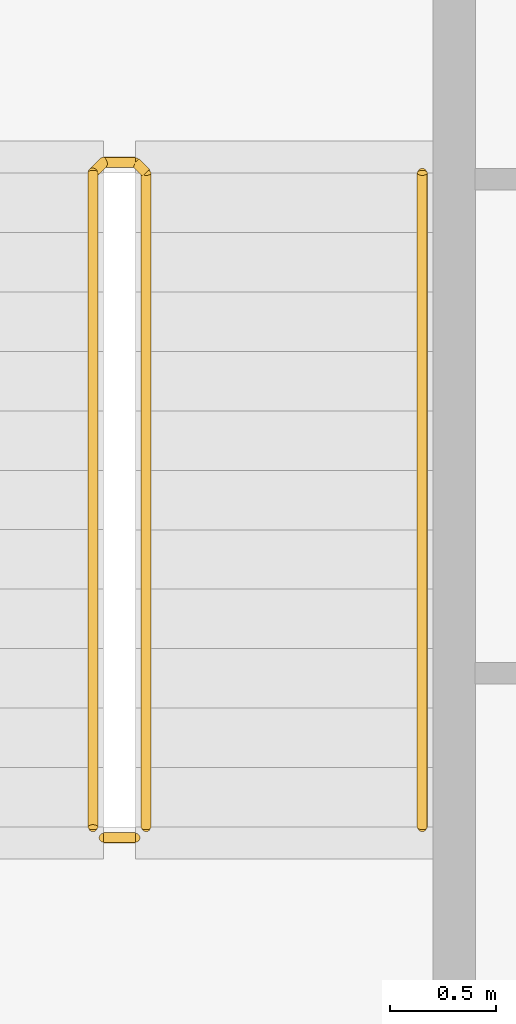
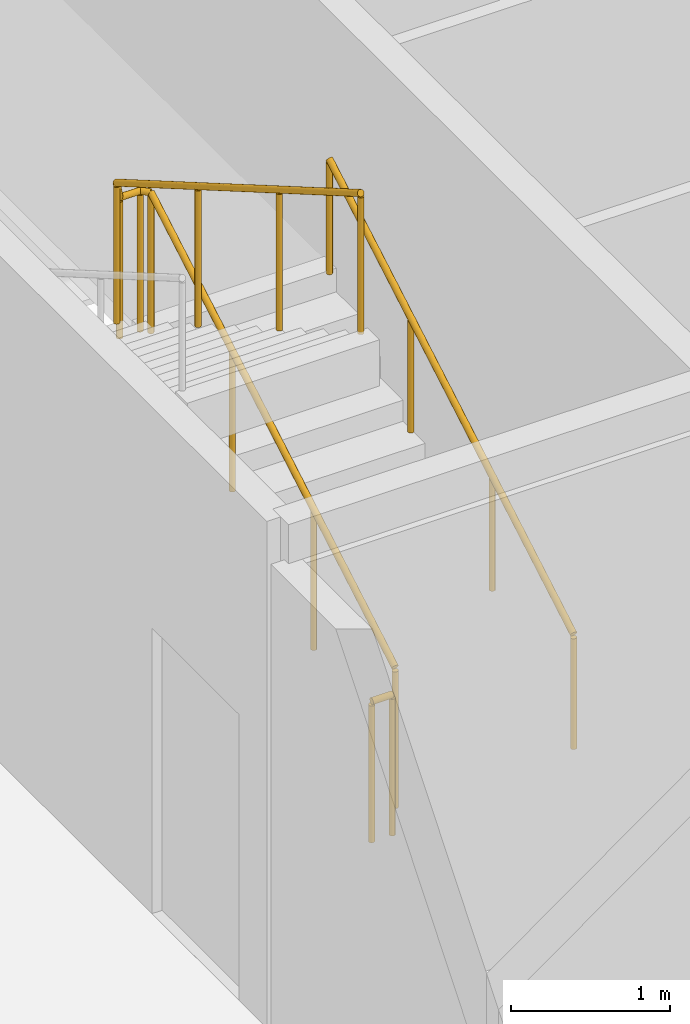
# One storey, part 27 of 28: 3 railings.
"""IFC4 building model written with IfcOpenShell, lengths in metres."""

import ifcopenshell
import ifcopenshell.guid

model = None  # the IFC model being written
_history = None  # IfcOwnerHistory: only IFC2X3 demands one
_inside = {}  # id of a spatial element -> (the spatial element, [elements in it])
_under = {}  # id of a project, library or spatial element -> (it, [spatial elements below it])
_declared = {}  # id of a project -> (the project, [libraries it declares])
_typed = {}  # id of a type object -> (the type object, [elements of that type])
_made_of = {}  # id of a material, layer set ... -> (it, [elements and type objects made of it])


def new_model(schema):
    """Start an empty IFC model of exactly this schema.

    Asked for "IFC4X3", IfcOpenShell would pick the latest addendum, in which some entities
    have other attributes; the version numbers below select the first issue.
    IFC2X3 requires an IfcOwnerHistory on every rooted entity: one is made here for all.
    """
    global model, _history
    if schema == "IFC4X3":
        model = ifcopenshell.file(schema_version=(4, 3, 0, 0))
    else:
        model = ifcopenshell.file(schema=schema)
    _inside.clear()
    _under.clear()
    _declared.clear()
    _typed.clear()
    _made_of.clear()
    _history = None
    if model.schema == "IFC2X3":
        org = make("IfcOrganization", Name="unknown")
        user = make(
            "IfcPersonAndOrganization",
            ThePerson=make("IfcPerson", FamilyName="unknown"),
            TheOrganization=org,
        )
        app = make(
            "IfcApplication",
            ApplicationDeveloper=org,
            Version="unknown",
            ApplicationFullName="unknown",
            ApplicationIdentifier="unknown",
        )
        _history = make(
            "IfcOwnerHistory",
            OwningUser=user,
            OwningApplication=app,
            ChangeAction="ADDED",
            CreationDate=0,
        )
    return model


def make(cls, **values):
    """One entity of the class cls with the attributes given. An attribute that is None is left unset."""
    return model.create_entity(
        cls, **{name: value for name, value in values.items() if value is not None}
    )


def rooted(cls, **values):
    """An entity with a GlobalId (a new one), such as an element, a storey or a relation."""
    return make(cls, GlobalId=ifcopenshell.guid.new(), OwnerHistory=_history, **values)


def si_unit(unit_type, name, prefix=None):
    """IfcSIUnit, for example si_unit("LENGTHUNIT", "METRE", prefix="MILLI")."""
    return make("IfcSIUnit", UnitType=unit_type, Prefix=prefix, Name=name)


def assignment(units):
    """IfcUnitAssignment: the units of a project."""
    return None if units is None else make("IfcUnitAssignment", Units=units)


def point(xyz):
    """IfcCartesianPoint."""
    return None if xyz is None else make("IfcCartesianPoint", Coordinates=xyz)


def direction(xyz):
    """IfcDirection."""
    return None if xyz is None else make("IfcDirection", DirectionRatios=xyz)


def frame(location, z_axis=None, x_axis=None):
    """IfcAxis2Placement3D, a coordinate frame: its origin and axes. An axis left out is left unset."""
    return make(
        "IfcAxis2Placement3D",
        Location=point(location),
        Axis=direction(z_axis),
        RefDirection=direction(x_axis),
    )


def frame_2d(location, x_axis=None):
    """IfcAxis2Placement2D, a coordinate frame in the plane: its origin and x axis."""
    return make(
        "IfcAxis2Placement2D", Location=point(location), RefDirection=direction(x_axis)
    )


def origin():
    """The frame at (0, 0, 0) with its axes left unset."""
    return frame((0.0, 0.0, 0.0))


def origin_2d():
    """The frame at (0, 0) in the plane with its x axis left unset."""
    return frame_2d((0.0, 0.0))


def place(relative_to, where):
    """IfcLocalPlacement: puts the frame where relative to a parent placement (None: the world)."""
    return make(
        "IfcLocalPlacement", PlacementRelTo=relative_to, RelativePlacement=where
    )


def context(
    kind, dimensions, precision=None, world=None, true_north=None, identifier=None
):
    """IfcGeometricRepresentationContext, for example the 3D "Model" context."""
    return make(
        "IfcGeometricRepresentationContext",
        ContextIdentifier=identifier,
        ContextType=kind,
        CoordinateSpaceDimension=dimensions,
        Precision=precision,
        WorldCoordinateSystem=world,
        TrueNorth=true_north,
    )


def subcontext(parent, identifier, kind, view, scale=None):
    """IfcGeometricRepresentationSubContext, for example "Body" below "Model"."""
    return make(
        "IfcGeometricRepresentationSubContext",
        ContextIdentifier=identifier,
        ContextType=kind,
        ParentContext=parent,
        TargetScale=scale,
        TargetView=view,
    )


def project(units=None, contexts=None):
    """IfcProject with its units and contexts."""
    return rooted(
        "IfcProject",
        Name="project",
        RepresentationContexts=contexts,
        UnitsInContext=assignment(units),
    )


def spatial(cls, under=None, at=None, **own):
    """A site, building, storey or space (cls), placed at a placement, below another one or the project."""
    s = rooted(cls, ObjectPlacement=at, **own)
    if under is not None:
        _under.setdefault(under.id(), (under, []))[1].append(s)
    return s


def profile(cls, at=None, kind="AREA", **sizes):
    """A parametric profile (cls). Its sizes go by their IFC names, for example OverallWidth=200.0."""
    return make(cls, ProfileType=kind, Position=at, **sizes)


def circle(**sizes):
    """IfcCircleProfileDef."""
    return profile("IfcCircleProfileDef", **sizes)


def extrude(swept, where, along, depth):
    """IfcExtrudedAreaSolid: the profile swept, set in the frame where, extruded along a direction by depth."""
    return make(
        "IfcExtrudedAreaSolid",
        SweptArea=swept,
        Position=where,
        ExtrudedDirection=direction(along),
        Depth=depth,
    )


def shape(context_of_items, identifier, shape_type, items):
    """IfcShapeRepresentation: the items that make up one representation, for example the "Body"."""
    return make(
        "IfcShapeRepresentation",
        ContextOfItems=context_of_items,
        RepresentationIdentifier=identifier,
        RepresentationType=shape_type,
        Items=items,
    )


def material(Name=None, Category=None):
    """IfcMaterial."""
    return make("IfcMaterial", Name=Name, Category=Category)


def made_of(thing, what):
    """Note that an element or type object is made of a material, layer set ...; save() writes the relation."""
    if what is not None:
        _made_of.setdefault(what.id(), (what, []))[1].append(thing)
    return thing


def type_object(cls, material=None, **own):
    """A type object (cls), such as IfcWallType, which elements share."""
    return made_of(rooted(cls, **own), material)


def element(
    cls,
    number,
    at=None,
    inside=None,
    cuts=None,
    type_object=None,
    material=None,
    context=None,
    identifier="Body",
    shape_type=None,
    held_by="IfcProductDefinitionShape",
    body=None,
    shapes=None,
    **own,
):
    """One element of the class cls, such as IfcWall. Its Tag is "e" and its number.

    at: its placement. inside: the storey or other place that contains it. cuts: it is an
    opening in that element (IfcRelVoidsElement). A single representation is given by context,
    identifier, shape_type and body (its items); several are given by shapes. held_by: the class
    of the entity that holds the representations. save() writes the other relations.
    """
    e = rooted(cls, Tag="e%d" % number, ObjectPlacement=at, **own)
    if body is not None:
        shapes = [shape(context, identifier, shape_type, body)]
    if shapes is not None:
        e.Representation = make(held_by, Representations=shapes)
    if inside is not None:
        _inside.setdefault(inside.id(), (inside, []))[1].append(e)
    if cuts is not None:
        rooted(
            "IfcRelVoidsElement", RelatingBuildingElement=cuts, RelatedOpeningElement=e
        )
    if type_object is not None:
        _typed.setdefault(type_object.id(), (type_object, []))[1].append(e)
    return made_of(e, material)


def aggregate(whole, parts):
    """IfcRelAggregates: a whole, such as a stair, and the parts it consists of."""
    return rooted("IfcRelAggregates", RelatingObject=whole, RelatedObjects=parts)


def save(model, path):
    """Write the relations noted so far, then the file.

    IfcRelAggregates (storeys below a building ...), IfcRelContainedInSpatialStructure (elements
    in a storey), IfcRelDefinesByType, IfcRelAssociatesMaterial and IfcRelDeclares: one each for
    every whole, place, type object, material and project.
    """
    for whole, parts in _under.values():
        aggregate(whole, parts)
    for where, things in _inside.values():
        rooted(
            "IfcRelContainedInSpatialStructure",
            RelatedElements=things,
            RelatingStructure=where,
        )
    for kind, things in _typed.values():
        rooted("IfcRelDefinesByType", RelatedObjects=things, RelatingType=kind)
    for what, things in _made_of.values():
        rooted("IfcRelAssociatesMaterial", RelatedObjects=things, RelatingMaterial=what)
    for by, libraries in _declared.values():
        rooted("IfcRelDeclares", RelatingContext=by, RelatedDefinitions=libraries)
    model.write(path)


model = new_model("IFC4")

# Units and contexts
model_context = context("Model", 3, precision=1e-05, world=origin(), true_north=direction((0.0, 1.0)))
body_context = subcontext(model_context, "Body", "Model", "MODEL_VIEW")
ifc_project = project(units=[si_unit("LENGTHUNIT", "METRE"), si_unit("AREAUNIT", "SQUARE_METRE"), si_unit("VOLUMEUNIT", "CUBIC_METRE"), si_unit("PLANEANGLEUNIT", "RADIAN"), si_unit("MASSUNIT", "GRAM", prefix="KILO")], contexts=[model_context])

# Site, building, storey
site_placement = place(None, origin())
site = spatial("IfcSite", under=ifc_project, at=site_placement, CompositionType="ELEMENT")
building_placement = place(site_placement, origin())
building = spatial("IfcBuilding", under=site, at=building_placement, Name="Kheshtan School and Residences Tower", CompositionType="ELEMENT")
storey_placement = place(building_placement, frame((0.0, 0.0, 140.89990234375)))
storey = spatial("IfcBuildingStorey", under=building, at=storey_placement, Name="L33", CompositionType="ELEMENT", Elevation=140.89990234375)

# Railings
ifc_material_1 = material(Name="Stainless steel balustrade", Category="steel")
railing_type_1 = type_object("IfcRailingType", Name="Stair guard 1100", PredefinedType="GUARDRAIL", material=ifc_material_1)
railing_1_placement = place(storey_placement, frame((35.0, 80.89990234375, 0.16259765625)))
element("IfcRailing", 1, at=railing_1_placement, inside=storey, type_object=railing_type_1, Name="L33 ST3 stair guard 1", PredefinedType="GUARDRAIL", context=body_context, shape_type="SweptSolid", body=[
    extrude(circle(Radius=0.02392578125, at=origin_2d()), frame((0.0, 0.0, 1.076171875), z_axis=(0.0, 0.864890721111, 0.501960198159), x_axis=(-1.0, 0.0, 0.0)), (0.0, 0.0, 1.0), 3.561279296875),
    extrude(circle(Radius=0.02392578125, at=origin_2d()), frame((0.0, 3.080078125, 2.86376953125), z_axis=(-0.707106781187, 0.707106781187, 0.0), x_axis=(-0.707106781187, -0.707106781187, 0.0)), (0.0, 0.0, 1.0), 0.07080078125),
    extrude(circle(Radius=0.02392578125, at=origin_2d()), frame((-0.050048828125, 3.130126953125, 2.86376953125), z_axis=(-1.0, 0.0, 0.0), x_axis=(0.0, -1.0, 0.0)), (0.0, 0.0, 1.0), 0.14990234375),
    extrude(circle(Radius=0.02392578125, at=origin_2d()), frame((-0.199951171875, 3.130126953125, 2.86376953125), z_axis=(-0.282583949758, -0.282583949758, 0.916674763849), x_axis=(0.707106781187, -0.707106781187, 0.0)), (0.0, 0.0, 1.0), 0.177001953125),
    extrude(circle(Radius=0.02392578125, at=origin_2d()), frame((-0.25, 3.080078125, 3.02587890625), z_axis=(0.0, -0.864890721111, 0.501960198159), x_axis=(1.0, 0.0, 0.0)), (0.0, 0.0, 1.0), 3.561279296875),
    extrude(circle(Radius=0.02099609375, at=origin_2d()), origin(), (0.0, 0.0, 1.0), 1.052001953125),
    extrude(circle(Radius=0.02099609375, at=origin_2d()), frame((0.0, 1.026611328125, 0.595947265625)), (0.0, 0.0, 1.0), 1.052001953125),
    extrude(circle(Radius=0.02099609375, at=origin_2d()), frame((0.0, 2.053466796875, 1.191650390625)), (0.0, 0.0, 1.0), 1.052001953125),
    extrude(circle(Radius=0.02099609375, at=origin_2d()), frame((0.0, 3.080078125, 1.78759765625)), (0.0, 0.0, 1.0), 1.052001953125),
    extrude(circle(Radius=0.02099609375, at=origin_2d()), frame((-0.050048828125, 3.130126953125, 1.78759765625)), (0.0, 0.0, 1.0), 1.052001953125),
    extrude(circle(Radius=0.02099609375, at=origin_2d()), frame((-0.199951171875, 3.130126953125, 1.78759765625)), (0.0, 0.0, 1.0), 1.052001953125),
    extrude(circle(Radius=0.02099609375, at=origin_2d()), frame((-0.25, 3.080078125, 1.949951171875)), (0.0, 0.0, 1.0), 1.052001953125),
    extrude(circle(Radius=0.02099609375, at=origin_2d()), frame((-0.25, 2.053466796875, 2.5458984375)), (0.0, 0.0, 1.0), 1.052001953125),
    extrude(circle(Radius=0.02099609375, at=origin_2d()), frame((-0.25, 1.026611328125, 3.1416015625)), (0.0, 0.0, 1.0), 1.052001953125),
    extrude(circle(Radius=0.02099609375, at=origin_2d()), frame((-0.25, 0.0, 3.737548828125)), (0.0, 0.0, 1.0), 1.052001953125),
])
railing_2_placement = place(storey_placement, frame((34.949951171875, 80.85009765625, 0.0)))
element("IfcRailing", 2, at=railing_2_placement, inside=storey, type_object=railing_type_1, Name="L33 ST3 stair guard 2", PredefinedType="GUARDRAIL", context=body_context, shape_type="SweptSolid", body=[
    extrude(circle(Radius=0.02392578125, at=origin_2d()), frame((0.0, 0.0, 1.076171875), z_axis=(-1.0, 0.0, 0.0), x_axis=(0.0, -1.0, 0.0)), (0.0, 0.0, 1.0), 0.14990234375),
    extrude(circle(Radius=0.02099609375, at=origin_2d()), origin(), (0.0, 0.0, 1.0), 1.052001953125),
    extrude(circle(Radius=0.02099609375, at=origin_2d()), frame((-0.14990234375, 0.0, 0.0)), (0.0, 0.0, 1.0), 1.052001953125),
])
ifc_material_2 = material(Name="Stainless steel handrail", Category="steel")
railing_type_2 = type_object("IfcRailingType", Name="Stair handrail 900", PredefinedType="HANDRAIL", material=ifc_material_2)
railing_3_placement = place(storey_placement, frame((36.300048828125, 80.89990234375, 0.16259765625)))
element("IfcRailing", 3, at=railing_3_placement, inside=storey, type_object=railing_type_2, Name="L33 ST3 stair handrail 1", PredefinedType="HANDRAIL", context=body_context, shape_type="SweptSolid", body=[
    extrude(circle(Radius=0.02392578125, at=origin_2d()), frame((0.0, 0.0, 0.8759765625), z_axis=(0.0, 0.864890721111, 0.501960198159), x_axis=(-1.0, 0.0, 0.0)), (0.0, 0.0, 1.0), 3.561279296875),
    extrude(circle(Radius=0.02099609375, at=origin_2d()), origin(), (0.0, 0.0, 1.0), 0.851806640625),
    extrude(circle(Radius=0.02099609375, at=origin_2d()), frame((0.0, 1.026611328125, 0.595947265625)), (0.0, 0.0, 1.0), 0.851806640625),
    extrude(circle(Radius=0.02099609375, at=origin_2d()), frame((0.0, 2.053466796875, 1.191650390625)), (0.0, 0.0, 1.0), 0.851806640625),
    extrude(circle(Radius=0.02099609375, at=origin_2d()), frame((0.0, 3.080078125, 1.78759765625)), (0.0, 0.0, 1.0), 0.851806640625),
])

save(model, "model.ifc")
